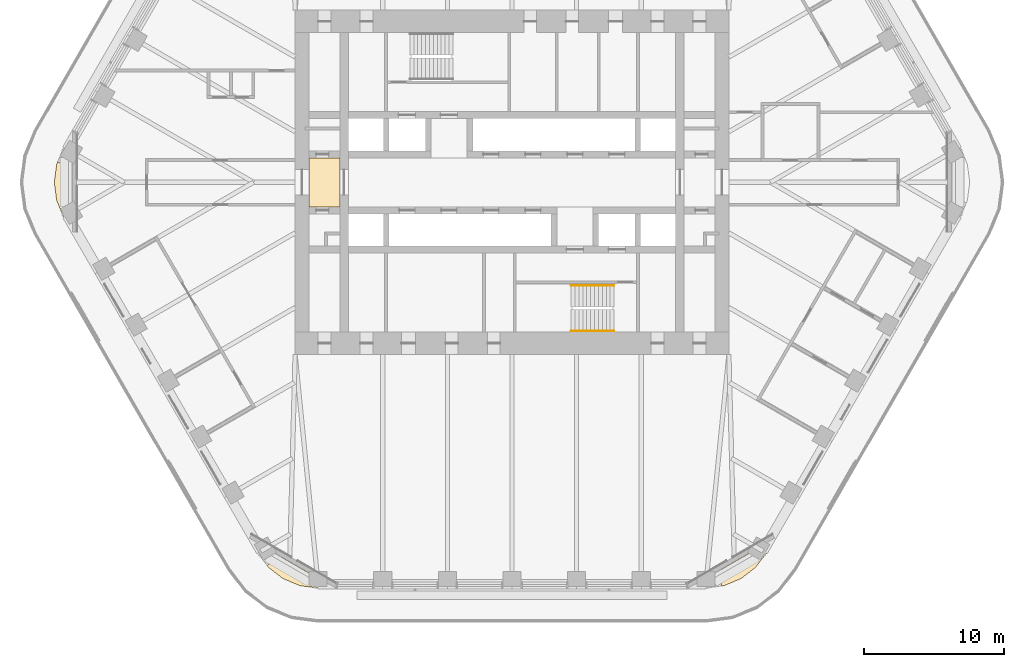
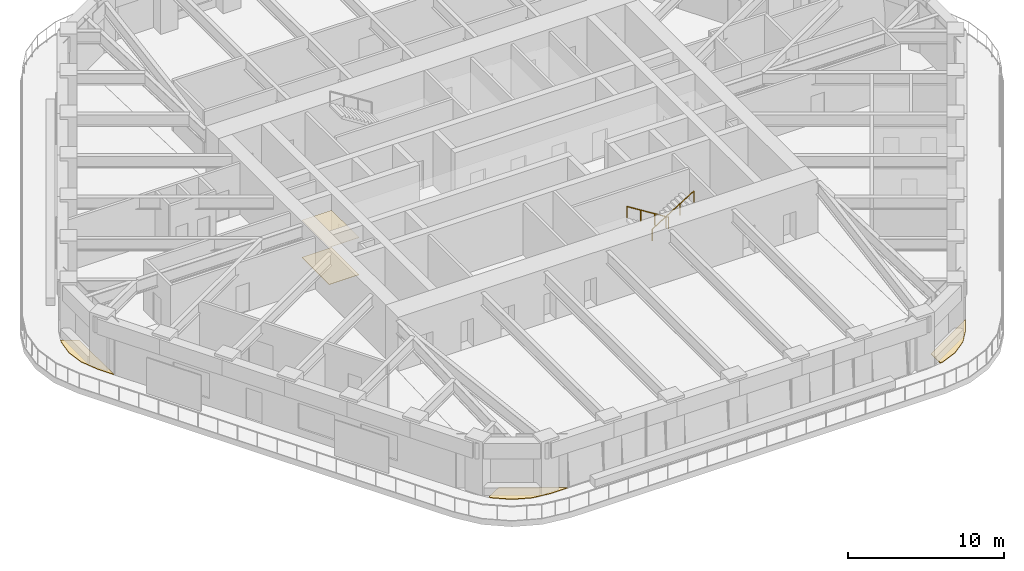
# One storey, part 18 of 20: 5 coverings, 2 railings.
"""IFC4 building model written with IfcOpenShell, lengths in metres."""

from ifc_helpers import new_model, si_unit, direction, frame, origin, origin_2d, place, context, subcontext, project, spatial, polyline, circle, outline, extrude, material, layer, layer_set, type_object, element, save


model = new_model("IFC4")

# Units and contexts
model_context = context("Model", 3, precision=1e-05, world=origin(), true_north=direction((0.0, 1.0)))
body_context = subcontext(model_context, "Body", "Model", "MODEL_VIEW")
ifc_project = project(units=[si_unit("LENGTHUNIT", "METRE"), si_unit("AREAUNIT", "SQUARE_METRE"), si_unit("VOLUMEUNIT", "CUBIC_METRE"), si_unit("PLANEANGLEUNIT", "RADIAN"), si_unit("MASSUNIT", "GRAM", prefix="KILO")], contexts=[model_context])

# Site, building, storey
site_placement = place(None, origin())
site = spatial("IfcSite", under=ifc_project, at=site_placement, CompositionType="ELEMENT")
building_placement = place(site_placement, origin())
building = spatial("IfcBuilding", under=site, at=building_placement, Name="Tarfa Lantern Tower", CompositionType="ELEMENT")
storey_placement = place(building_placement, frame((0.0, 0.0, 244.89990234375)))
storey = spatial("IfcBuildingStorey", under=building, at=storey_placement, Name="L55", CompositionType="ELEMENT", Elevation=244.89990234375)

# Coverings
ifc_material_1 = material(Name="Powder-coated aluminium panel", Category="aluminium")
ifc_layer_1 = layer(ifc_material_1, 0.030029296875)
ifc_layer_set_1 = layer_set([ifc_layer_1], Name="CL3 METAL PANEL CEILING 30")
covering_type_1 = type_object("IfcCoveringType", Name="CL3 METAL PANEL CEILING 30", PredefinedType="CEILING", material=ifc_layer_set_1)
covering_1_placement = place(storey_placement, frame((0.0, 0.0, 2.900146484375)))
element("IfcCovering", 1, at=covering_1_placement, inside=storey, type_object=covering_type_1, Name="Ceiling L55-01", PredefinedType="CEILING", context=body_context, shape_type="SweptSolid", body=[
    extrude(outline(polyline([(-14.5, -1.75), (-12.300048828125, -1.75), (-12.300048828125, 1.75), (-14.5, 1.75), (-14.5, -1.75)])), origin(), (0.0, 0.0, 1.0), 0.030029296875),
])
ifc_material_2 = material(Name="Honed limestone flooring", Category="masonry")
ifc_layer_2 = layer(ifc_material_2, 0.030029296875)
ifc_layer_set_2 = layer_set([ifc_layer_2], Name="FL2 STONE FLOORING 30")
covering_type_2 = type_object("IfcCoveringType", Name="FL2 STONE FLOORING 30", PredefinedType="FLOORING", material=ifc_layer_set_2)
covering_2_placement = place(storey_placement, origin())
element("IfcCovering", 2, at=covering_2_placement, inside=storey, type_object=covering_type_2, Name="Floor finish L55-01", PredefinedType="FLOORING", context=body_context, shape_type="SweptSolid", body=[
    extrude(outline(polyline([(-14.5, -1.75), (-12.300048828125, -1.75), (-12.300048828125, 1.75), (-14.5, 1.75), (-14.5, -1.75)])), origin(), (0.0, 0.0, 1.0), 0.030029296875),
])

# Railings
ifc_material_3 = material(Name="Stainless steel", Category="steel")
railing_type = type_object("IfcRailingType", Name="HR1 HANDRAIL 900", PredefinedType="HANDRAIL", material=ifc_material_3)
railing_1_placement = place(storey_placement, frame((7.300048828125, -7.3798828125, 0.175048828125)))
element("IfcRailing", 3, at=railing_1_placement, inside=storey, type_object=railing_type, Name="Handrail 1", PredefinedType="HANDRAIL", context=body_context, shape_type="SweptSolid", body=[
    extrude(circle(Radius=0.02392578125, at=origin_2d()), frame((0.0, 0.0, 0.8759765625), z_axis=(-0.847998304005, 0.0, 0.529998940003), x_axis=(0.0, -1.0, 0.0)), (0.0, 0.0, 1.0), 3.632080078125),
    extrude(circle(Radius=0.02099609375, at=origin_2d()), frame((0.0, 0.0, 0.0), z_axis=(0.0, 0.0, 1.0), x_axis=(0.0, -1.0, 0.0)), (0.0, 0.0, 1.0), 0.851806640625),
    extrude(circle(Radius=0.02099609375, at=origin_2d()), frame((-1.026611328125, 0.0, 0.6416015625), z_axis=(0.0, 0.0, 1.0), x_axis=(0.0, -1.0, 0.0)), (0.0, 0.0, 1.0), 0.851806640625),
    extrude(circle(Radius=0.02099609375, at=origin_2d()), frame((-2.053466796875, 0.0, 1.283447265625), z_axis=(0.0, 0.0, 1.0), x_axis=(0.0, -1.0, 0.0)), (0.0, 0.0, 1.0), 0.851806640625),
    extrude(circle(Radius=0.02099609375, at=origin_2d()), frame((-3.080078125, 0.0, 1.925048828125), z_axis=(0.0, 0.0, 1.0), x_axis=(0.0, -1.0, 0.0)), (0.0, 0.0, 1.0), 0.851806640625),
])
railing_2_placement = place(storey_placement, frame((4.219970703125, -10.6201171875, 2.275146484375)))
element("IfcRailing", 4, at=railing_2_placement, inside=storey, type_object=railing_type, Name="Handrail 2", PredefinedType="HANDRAIL", context=body_context, shape_type="SweptSolid", body=[
    extrude(circle(Radius=0.02392578125, at=origin_2d()), frame((0.0, 0.0, 0.8759765625), z_axis=(0.847998304005, 0.0, 0.529998940003), x_axis=(0.0, 1.0, 0.0)), (0.0, 0.0, 1.0), 3.632080078125),
    extrude(circle(Radius=0.02099609375, at=origin_2d()), frame((0.0, 0.0, 0.0), z_axis=(0.0, 0.0, 1.0), x_axis=(0.0, 1.0, 0.0)), (0.0, 0.0, 1.0), 0.851806640625),
    extrude(circle(Radius=0.02099609375, at=origin_2d()), frame((1.026611328125, 0.0, 0.6416015625), z_axis=(0.0, 0.0, 1.0), x_axis=(0.0, 1.0, 0.0)), (0.0, 0.0, 1.0), 0.851806640625),
    extrude(circle(Radius=0.02099609375, at=origin_2d()), frame((2.053466796875, 0.0, 1.283447265625), z_axis=(0.0, 0.0, 1.0), x_axis=(0.0, 1.0, 0.0)), (0.0, 0.0, 1.0), 0.851806640625),
    extrude(circle(Radius=0.02099609375, at=origin_2d()), frame((3.080078125, 0.0, 1.925048828125), z_axis=(0.0, 0.0, 1.0), x_axis=(0.0, 1.0, 0.0)), (0.0, 0.0, 1.0), 0.851806640625),
])

# Coverings
ifc_material_4 = material(Name="Porcelain pavers on pedestals", Category="ceramic")
ifc_layer_3 = layer(ifc_material_4, 0.0400390625)
ifc_layer_set_3 = layer_set([ifc_layer_3], Name="LP1 LOGGIA PAVING 40")
covering_type_3 = type_object("IfcCoveringType", Name="LP1 LOGGIA PAVING 40", PredefinedType="FLOORING", material=ifc_layer_set_3)
covering_3_placement = place(storey_placement, origin())
element("IfcCovering", 5, at=covering_3_placement, inside=storey, type_object=covering_type_3, Name="Sky garden paving NW-SW", PredefinedType="FLOORING", context=body_context, shape_type="SweptSolid", body=[
    extrude(outline(polyline([(-32.54248046875, -1.294189453125), (-32.712890625, 0.0), (-32.54248046875, 1.294189453125), (-32.467529296875, 1.474853515625), (-31.43310546875, 0.877685546875), (-31.43310546875, -3.55078125), (-31.436279296875, -3.55078125), (-32.04296875, -2.5), (-32.54248046875, -1.294189453125)])), origin(), (0.0, 0.0, 1.0), 0.0400390625),
])
covering_4_placement = place(storey_placement, origin())
element("IfcCovering", 6, at=covering_4_placement, inside=storey, type_object=covering_type_3, Name="Sky garden paving SW-S", PredefinedType="FLOORING", context=body_context, shape_type="SweptSolid", body=[
    extrude(outline(polyline([(-15.150390625, -28.82958984375), (-16.3564453125, -28.330078125), (-17.391845703125, -27.53564453125), (-17.51123046875, -27.380126953125), (-16.4765625, -26.782958984375), (-12.641357421875, -28.997314453125), (-12.64306640625, -29.0), (-13.8564453125, -29.0), (-15.150390625, -28.82958984375)])), origin(), (0.0, 0.0, 1.0), 0.0400390625),
])
covering_5_placement = place(storey_placement, origin())
element("IfcCovering", 7, at=covering_5_placement, inside=storey, type_object=covering_type_3, Name="Sky garden paving S-SE", PredefinedType="FLOORING", context=body_context, shape_type="SweptSolid", body=[
    extrude(outline(polyline([(17.391845703125, -27.53564453125), (16.3564453125, -28.330078125), (15.150390625, -28.82958984375), (14.956298828125, -28.855224609375), (14.956298828125, -27.66064453125), (18.791748046875, -25.4462890625), (18.793212890625, -25.44921875), (18.1865234375, -26.5), (17.391845703125, -27.53564453125)])), origin(), (0.0, 0.0, 1.0), 0.0400390625),
])

save(model, "model.ifc")
